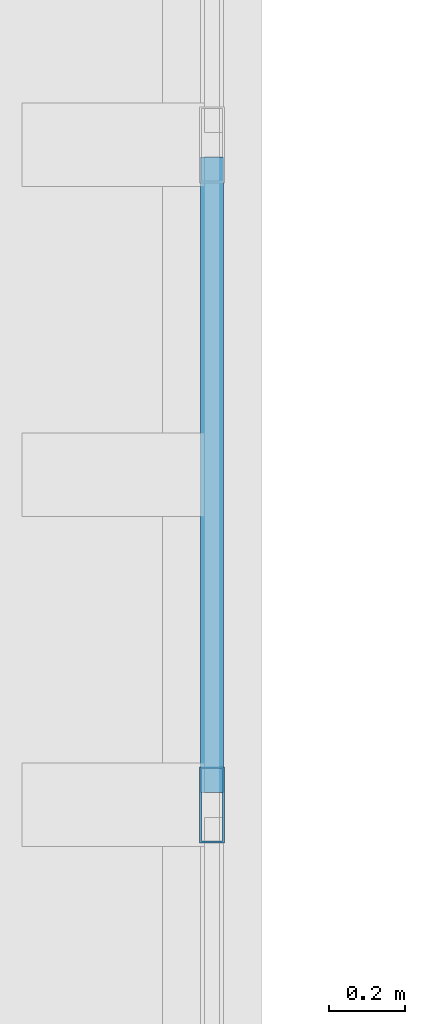
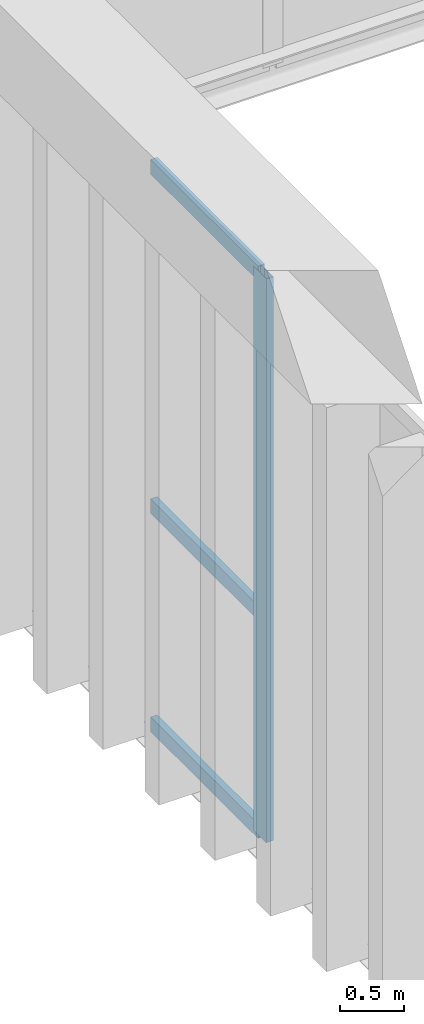
# One storey, part 98 of 237: 4 members, 1 element without a shape of its own.
"""IFC4 building model written with IfcOpenShell, lengths in metres."""

from ifc_helpers import new_model, si_unit, direction, frame, origin, origin_2d, place, context, subcontext, project, spatial, hollow_rectangle, extrude, material, layer, layer_set, material_profile, profile_set, type_object, element, aggregate, save


model = new_model("IFC4")

# Units and contexts
model_context = context("Model", 3, precision=1e-05, world=origin(), true_north=direction((0.0, 1.0)))
body_context = subcontext(model_context, "Body", "Model", "MODEL_VIEW")
ifc_project = project(units=[si_unit("LENGTHUNIT", "METRE"), si_unit("AREAUNIT", "SQUARE_METRE"), si_unit("VOLUMEUNIT", "CUBIC_METRE"), si_unit("PLANEANGLEUNIT", "RADIAN"), si_unit("MASSUNIT", "GRAM", prefix="KILO")], contexts=[model_context])

# Site, building, storey
site_placement = place(None, origin())
site = spatial("IfcSite", under=ifc_project, at=site_placement, CompositionType="ELEMENT")
building_placement = place(site_placement, origin())
building = spatial("IfcBuilding", under=site, at=building_placement, Name="Barlavento Convention Centre", CompositionType="ELEMENT")
storey_placement = place(building_placement, frame((0.0, 0.0, 12.0)))
storey = spatial("IfcBuildingStorey", under=building, at=storey_placement, Name="L02", CompositionType="ELEMENT", Elevation=12.0)

# Curtain wall, members
ifc_material_1 = material(Name="Powder-coated aluminium and Low-E glass", Category="aluminium")
ifc_layer = layer(ifc_material_1, 0.18505859375)
ifc_layer_set = layer_set([ifc_layer], Name="ARC-CW-EXH-L02")
curtain_wall_type = type_object("IfcCurtainWallType", Name="ARC-CW-EXH-L02", PredefinedType="NOTDEFINED", material=ifc_layer_set)
curtain_wall_placement = place(storey_placement, origin())
curtain_wall = element("IfcCurtainWall", 1, at=curtain_wall_placement, inside=storey, type_object=curtain_wall_type, Name="L02 unitised curtain wall CW05", PredefinedType="NOTDEFINED")
ifc_material_2 = material(Name="Powder-coated aluminium", Category="aluminium")
ifc_material_profile_1 = material_profile(ifc_material_2, hollow_rectangle(XDim=0.06494140625, YDim=0.199951171875, WallThickness=0.0048828125, at=origin_2d()), Name="AL-MULL 65x200x5")
ifc_profile_set_1 = profile_set([ifc_material_profile_1], Name="Powder-coated aluminium")
member_type_1 = type_object("IfcMemberType", Name="ARC-CWM-65X200", PredefinedType="MULLION", material=ifc_profile_set_1)
member_1_placement = place(storey_placement, frame((0.0, 125.970703125, -0.5), z_axis=(0.0, 0.0, 1.0), x_axis=(-1.0, 0.0, 0.0)))
member_1 = element("IfcMember", 2, at=member_1_placement, type_object=member_type_1, Name="CW05 mullion 6", PredefinedType="MULLION", context=body_context, shape_type="SweptSolid", body=[
    extrude(hollow_rectangle(XDim=0.06494140625, YDim=0.199951171875, WallThickness=0.0048828125, at=origin_2d()), origin(), (0.0, 0.0, 1.0), 5.35009765625),
])
ifc_material_profile_2 = material_profile(ifc_material_2, hollow_rectangle(XDim=0.06005859375, YDim=0.139892578125, WallThickness=0.00390625, at=origin_2d()), Name="AL-TRAN 60x140x4")
ifc_profile_set_2 = profile_set([ifc_material_profile_2], Name="Powder-coated aluminium")
member_type_2 = type_object("IfcMemberType", Name="ARC-CWT-60X140", PredefinedType="USERDEFINED", material=ifc_profile_set_2)
member_2_placement = place(storey_placement, frame((0.0, 126.003173828125, -0.469970703125), z_axis=(0.0, 1.0, 0.0), x_axis=(-1.0, 0.0, 0.0)))
member_2 = element("IfcMember", 3, at=member_2_placement, type_object=member_type_2, Name="CW05 transom 6.1", ObjectType="TRANSOM", PredefinedType="USERDEFINED", context=body_context, shape_type="SweptSolid", body=[
    extrude(hollow_rectangle(XDim=0.06005859375, YDim=0.139892578125, WallThickness=0.00390625, at=origin_2d()), origin(), (0.0, 0.0, 1.0), 1.67236328125),
])
member_3_placement = place(storey_placement, frame((0.0, 126.003173828125, 1.60009765625), z_axis=(0.0, 1.0, 0.0), x_axis=(-1.0, 0.0, 0.0)))
member_3 = element("IfcMember", 4, at=member_3_placement, type_object=member_type_2, Name="CW05 transom 6.2", ObjectType="TRANSOM", PredefinedType="USERDEFINED", context=body_context, shape_type="SweptSolid", body=[
    extrude(hollow_rectangle(XDim=0.06005859375, YDim=0.139892578125, WallThickness=0.00390625, at=origin_2d()), origin(), (0.0, 0.0, 1.0), 1.67236328125),
])
member_4_placement = place(storey_placement, frame((0.0, 126.003173828125, 4.820068359375), z_axis=(0.0, 1.0, 0.0), x_axis=(-1.0, 0.0, 0.0)))
member_4 = element("IfcMember", 5, at=member_4_placement, type_object=member_type_2, Name="CW05 transom 6.3", ObjectType="TRANSOM", PredefinedType="USERDEFINED", context=body_context, shape_type="SweptSolid", body=[
    extrude(hollow_rectangle(XDim=0.06005859375, YDim=0.139892578125, WallThickness=0.00390625, at=origin_2d()), origin(), (0.0, 0.0, 1.0), 1.67236328125),
])
aggregate(curtain_wall, [member_1, member_2, member_3, member_4])

save(model, "model.ifc")
